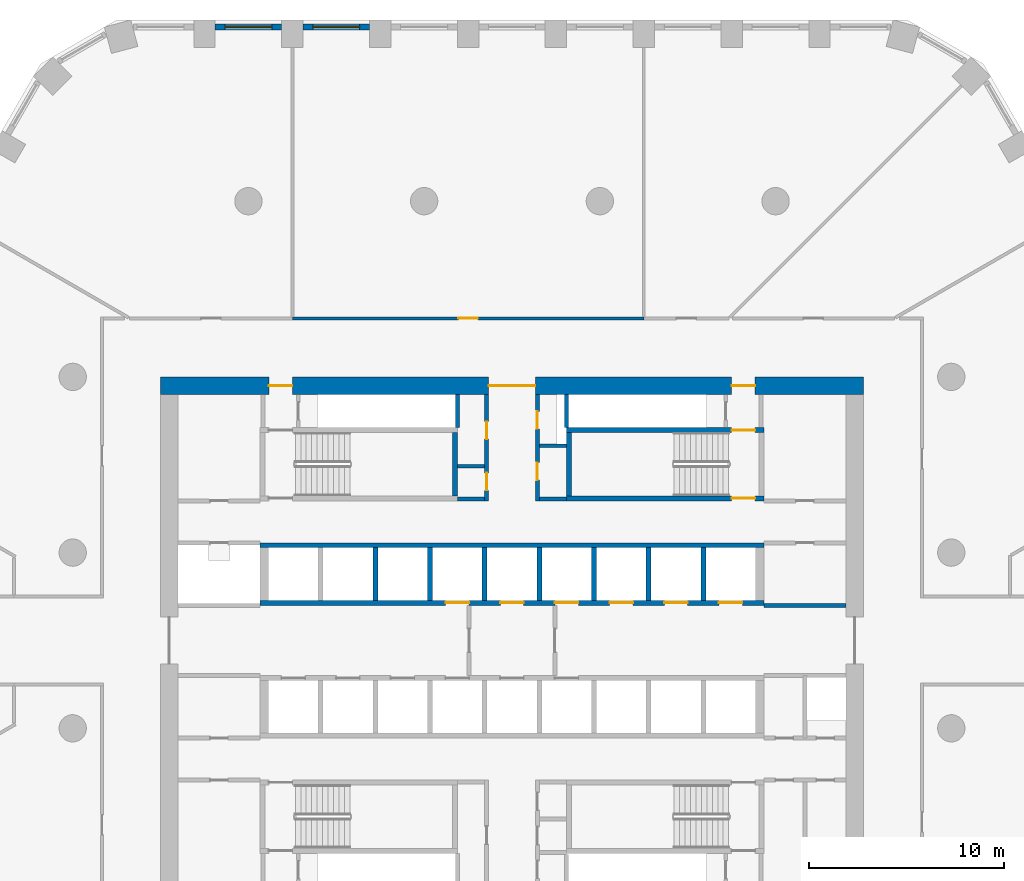
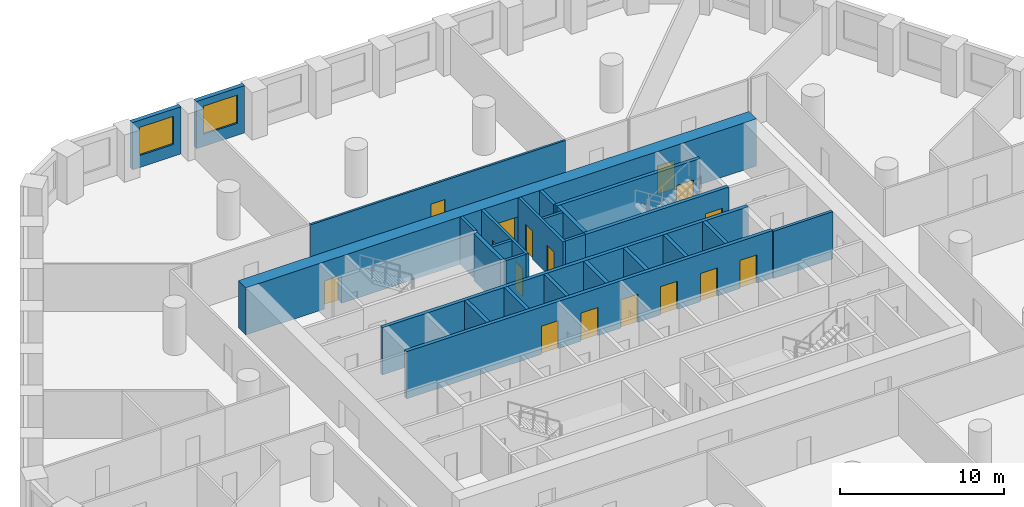
# One storey, part 6 of 10: 26 walls, 16 doors, 2 windows, 18 openings.
"""IFC4 building model written with IfcOpenShell, lengths in metres."""

from ifc_helpers import new_model, si_unit, direction, frame, frame_2d, origin, place, context, subcontext, project, spatial, polyline, rectangle, outline, extrude, material, layer, layer_set, type_object, element, fill, save


model = new_model("IFC4")

# Units and contexts
model_context = context("Model", 3, precision=1e-05, world=origin(), true_north=direction((0.0, 1.0)))
body_context = subcontext(model_context, "Body", "Model", "MODEL_VIEW")
ifc_project = project(units=[si_unit("LENGTHUNIT", "METRE"), si_unit("AREAUNIT", "SQUARE_METRE"), si_unit("VOLUMEUNIT", "CUBIC_METRE"), si_unit("PLANEANGLEUNIT", "RADIAN"), si_unit("MASSUNIT", "GRAM", prefix="KILO")], contexts=[model_context])

# Site, building, storey
site_placement = place(None, origin())
site = spatial("IfcSite", under=ifc_project, at=site_placement, CompositionType="ELEMENT")
building_placement = place(site_placement, origin())
building = spatial("IfcBuilding", under=site, at=building_placement, Name="Dhurran Vertical Campus", CompositionType="ELEMENT")
storey_placement = place(building_placement, frame((0.0, 0.0, 37.800048828125)))
storey = spatial("IfcBuildingStorey", under=building, at=storey_placement, Name="L08", CompositionType="ELEMENT", Elevation=37.800048828125)

# Wall, opening, window
ifc_material_1 = material(Name="Precast concrete C50/60", Category="concrete")
ifc_layer_1 = layer(ifc_material_1, 0.300048828125)
ifc_layer_set_1 = layer_set([ifc_layer_1], Name="Precast concrete C50/60")
wall_type_1 = type_object("IfcWallType", Name="Precast spandrel wall 300", PredefinedType="SOLIDWALL", material=ifc_layer_set_1)
wall_1_placement = place(storey_placement, frame((-7.300537109375, 31.4296875, 0.0), z_axis=(0.0, 0.0, 1.0), x_axis=(-1.0, 0.0, 0.0)))
wall_1 = element("IfcWall", 1, at=wall_1_placement, inside=storey, type_object=wall_type_1, Name="EW1 L08.32", PredefinedType="SOLIDWALL", context=body_context, shape_type="SweptSolid", body=[
    extrude(rectangle(XDim=3.39892578125, YDim=0.300048828125, at=frame_2d((1.699462890625, 0.0))), origin(), (0.0, 0.0, 1.0), 3.52490234375),
])
opening_1_placement = place(wall_1_placement, frame((0.49951171875, 0.0, 0.89990234375)))
opening_1 = element("IfcOpeningElement", 2, at=opening_1_placement, cuts=wall_1, Name="Opening WT1", PredefinedType="OPENING", context=body_context, shape_type="SweptSolid", body=[
    extrude(rectangle(XDim=2.39990234375, YDim=2.10009765625, at=frame_2d((1.199951171875, 1.050048828125))), frame((0.0, 0.159912109375, 0.0), z_axis=(0.0, -1.0, 0.0), x_axis=(1.0, 0.0, 0.0)), (0.0, 0.0, 1.0), 0.320068359375),
])
ifc_material_2 = material(Name="Aluminium frame with solar-control glass", Category="aluminium")
window_type = type_object("IfcWindowType", Name="Punched window 2400 x 2100", PartitioningType="SINGLE_PANEL", PredefinedType="WINDOW", material=ifc_material_2)
window_1_placement = place(opening_1_placement, origin())
window_1 = element("IfcWindow", 3, at=window_1_placement, inside=storey, type_object=window_type, Name="WT1 L08.32", OverallHeight=2.10009765625, OverallWidth=2.39990234375, PartitioningType="SINGLE_PANEL", PredefinedType="WINDOW", context=body_context, shape_type="SweptSolid", body=[
    extrude(rectangle(XDim=2.39990234375, YDim=2.10009765625, at=frame_2d((1.199951171875, 1.050048828125))), frame((0.0, 0.030029296875, 0.0), z_axis=(0.0, -1.0, 0.0), x_axis=(1.0, 0.0, 0.0)), (0.0, 0.0, 1.0), 0.06005859375),
])
fill(opening_1, window_1)

wall_2_placement = place(storey_placement, frame((-11.800537109375, 31.4296875, 0.0), z_axis=(0.0, 0.0, 1.0), x_axis=(-1.0, 0.0, 0.0)))
wall_2 = element("IfcWall", 4, at=wall_2_placement, inside=storey, type_object=wall_type_1, Name="EW1 L08.33", PredefinedType="SOLIDWALL", context=body_context, shape_type="SweptSolid", body=[
    extrude(rectangle(XDim=3.39892578125, YDim=0.300048828125, at=frame_2d((1.699462890625, 0.0))), origin(), (0.0, 0.0, 1.0), 3.52490234375),
])
opening_2_placement = place(wall_2_placement, frame((0.49951171875, 0.0, 0.89990234375)))
opening_2 = element("IfcOpeningElement", 5, at=opening_2_placement, cuts=wall_2, Name="Opening WT1", PredefinedType="OPENING", context=body_context, shape_type="SweptSolid", body=[
    extrude(rectangle(XDim=2.39990234375, YDim=2.10009765625, at=frame_2d((1.199951171875, 1.050048828125))), frame((0.0, 0.159912109375, 0.0), z_axis=(0.0, -1.0, 0.0), x_axis=(1.0, 0.0, 0.0)), (0.0, 0.0, 1.0), 0.320068359375),
])
window_2_placement = place(opening_2_placement, origin())
window_2 = element("IfcWindow", 6, at=window_2_placement, inside=storey, type_object=window_type, Name="WT1 L08.33", OverallHeight=2.10009765625, OverallWidth=2.39990234375, PartitioningType="SINGLE_PANEL", PredefinedType="WINDOW", context=body_context, shape_type="SweptSolid", body=[
    extrude(rectangle(XDim=2.39990234375, YDim=2.10009765625, at=frame_2d((1.199951171875, 1.050048828125))), frame((0.0, 0.030029296875, 0.0), z_axis=(0.0, -1.0, 0.0), x_axis=(1.0, 0.0, 0.0)), (0.0, 0.0, 1.0), 0.06005859375),
])
fill(opening_2, window_2)

# Wall, openings, doors
ifc_material_3 = material(Name="Concrete C60/75", Category="concrete")
ifc_layer_2 = layer(ifc_material_3, 0.89990234375)
ifc_layer_set_2 = layer_set([ifc_layer_2], Name="Concrete C60/75")
wall_type_2 = type_object("IfcWallType", Name="co-CORE-WALL-C0-900", PredefinedType="SHEAR", material=ifc_layer_set_2)
wall_3_placement = place(storey_placement, frame((-18.0, 13.050048828125, 0.0), z_axis=(0.0, 0.0, 1.0), x_axis=(1.0, 0.0, 0.0)))
wall_3 = element("IfcWall", 7, at=wall_3_placement, inside=storey, type_object=wall_type_2, Name="Core wall N L08", PredefinedType="SHEAR", context=body_context, shape_type="SweptSolid", body=[
    extrude(rectangle(XDim=36.0, YDim=0.89990234375, at=frame_2d((18.0, 0.0))), origin(), (0.0, 0.0, 1.0), 3.52490234375),
])
opening_3_placement = place(wall_3_placement, frame((16.800048828125, 0.0, 0.0)))
opening_3 = element("IfcOpeningElement", 8, at=opening_3_placement, cuts=wall_3, Name="Opening CV1", PredefinedType="OPENING", context=body_context, shape_type="SweptSolid", body=[
    extrude(rectangle(XDim=2.39990234375, YDim=2.10009765625, at=frame_2d((1.199951171875, 1.050048828125))), frame((0.0, 0.4599609375, 0.0), z_axis=(0.0, -1.0, 0.0), x_axis=(1.0, 0.0, 0.0)), (0.0, 0.0, 1.0), 0.919921875),
])
opening_4_placement = place(wall_3_placement, frame((5.550048828125, 0.0, 0.0)))
opening_4 = element("IfcOpeningElement", 9, at=opening_4_placement, cuts=wall_3, Name="Opening XD1", PredefinedType="OPENING", context=body_context, shape_type="SweptSolid", body=[
    extrude(rectangle(XDim=1.199951171875, YDim=2.10009765625, at=frame_2d((0.60009765625, 1.050048828125))), frame((0.0, 0.4599609375, 0.0), z_axis=(0.0, -1.0, 0.0), x_axis=(1.0, 0.0, 0.0)), (0.0, 0.0, 1.0), 0.919921875),
])
opening_5_placement = place(wall_3_placement, frame((29.25, 0.0, 0.0)))
opening_5 = element("IfcOpeningElement", 10, at=opening_5_placement, cuts=wall_3, Name="Opening XD2", PredefinedType="OPENING", context=body_context, shape_type="SweptSolid", body=[
    extrude(rectangle(XDim=1.199951171875, YDim=2.10009765625, at=frame_2d((0.60009765625, 1.050048828125))), frame((0.0, 0.4599609375, 0.0), z_axis=(0.0, -1.0, 0.0), x_axis=(1.0, 0.0, 0.0)), (0.0, 0.0, 1.0), 0.919921875),
])
ifc_material_4 = material(Name="Fire-rated glazed door set")
door_type_1 = type_object("IfcDoorType", Name="co-D-LOBBY 2400x2100", OperationType="DOUBLE_DOOR_DOUBLE_SWING", PredefinedType="DOOR", material=ifc_material_4)
door_1_placement = place(opening_3_placement, origin())
door_1 = element("IfcDoor", 11, at=door_1_placement, inside=storey, type_object=door_type_1, Name="Core vestibule door N L08", OperationType="DOUBLE_DOOR_DOUBLE_SWING", OverallHeight=2.10009765625, OverallWidth=2.39990234375, PredefinedType="DOOR", context=body_context, shape_type="SweptSolid", body=[
    extrude(rectangle(XDim=2.39990234375, YDim=2.10009765625, at=frame_2d((1.199951171875, 1.050048828125))), frame((0.0, 0.02490234375, 0.0), z_axis=(0.0, -1.0, 0.0), x_axis=(1.0, 0.0, 0.0)), (0.0, 0.0, 1.0), 0.050048828125),
])
fill(opening_3, door_1)
ifc_material_5 = material(Name="Fire-rated steel door set", Category="steel")
door_type_2 = type_object("IfcDoorType", Name="co-D-STAIR-EXIT 1200x2100", OperationType="SINGLE_SWING_RIGHT", PredefinedType="DOOR", material=ifc_material_5)
door_2_placement = place(opening_4_placement, origin())
door_2 = element("IfcDoor", 12, at=door_2_placement, inside=storey, type_object=door_type_2, Name="Stair ST1 exit door L08", OperationType="SINGLE_SWING_RIGHT", OverallHeight=2.10009765625, OverallWidth=1.199951171875, PredefinedType="DOOR", context=body_context, shape_type="SweptSolid", body=[
    extrude(rectangle(XDim=1.199951171875, YDim=2.10009765625, at=frame_2d((0.60009765625, 1.050048828125))), frame((0.0, 0.02490234375, 0.0), z_axis=(0.0, -1.0, 0.0), x_axis=(1.0, 0.0, 0.0)), (0.0, 0.0, 1.0), 0.050048828125),
])
fill(opening_4, door_2)
door_3_placement = place(opening_5_placement, origin())
door_3 = element("IfcDoor", 13, at=door_3_placement, inside=storey, type_object=door_type_2, Name="Stair ST2 exit door L08", OperationType="SINGLE_SWING_RIGHT", OverallHeight=2.10009765625, OverallWidth=1.199951171875, PredefinedType="DOOR", context=body_context, shape_type="SweptSolid", body=[
    extrude(rectangle(XDim=1.199951171875, YDim=2.10009765625, at=frame_2d((0.60009765625, 1.050048828125))), frame((0.0, 0.02490234375, 0.0), z_axis=(0.0, -1.0, 0.0), x_axis=(1.0, 0.0, 0.0)), (0.0, 0.0, 1.0), 0.050048828125),
])
fill(opening_5, door_3)

# Walls
ifc_material_6 = material(Name="Fire-rated masonry blockwork", Category="masonry")
ifc_layer_3 = layer(ifc_material_6, 0.199951171875)
ifc_layer_set_3 = layer_set([ifc_layer_3], Name="Fire-rated masonry blockwork")
wall_type_3 = type_object("IfcWallType", Name="co-FIRE-PARTITION-200", PredefinedType="PARTITIONING", material=ifc_layer_set_3)
for number, where, z_axis, x_axis, name in (
    (14, (-2.800048828125, 7.25, 0.0), (0.0, 0.0, 1.0), (1.0, 0.0, 0.0), "Core partition sl-NW-S L08"),
    (15, (-2.800048828125, 8.925048828125, 0.0), (0.0, 0.0, 1.0), (1.0, 0.0, 0.0), "Core partition sl-NW-cut0 L08"),
    (16, (1.39990234375, 7.25, 0.0), (0.0, 0.0, 1.0), (1.0, 0.0, 0.0), "Core partition sl-NE-S L08"),
    (17, (1.39990234375, 9.97509765625, 0.0), (0.0, 0.0, 1.0), (1.0, 0.0, 0.0), "Core partition sl-NE-cut0 L08"),
):
    element("IfcWall", number, at=place(storey_placement, frame(where, z_axis=z_axis, x_axis=x_axis)), inside=storey, type_object=wall_type_3, Name=name, PredefinedType="PARTITIONING", context=body_context, shape_type="SweptSolid", body=[
        extrude(rectangle(XDim=1.400146484375, YDim=0.199951171875, at=frame_2d((0.7001953125, 0.0))), origin(), (0.0, 0.0, 1.0), 3.52490234375),
    ])

# Wall, openings, doors
wall_4_placement = place(storey_placement, frame((-1.300048828125, 7.14990234375, 0.0), z_axis=(0.0, 0.0, 1.0), x_axis=(0.0, 1.0, 0.0)))
wall_4 = element("IfcWall", 18, at=wall_4_placement, inside=storey, type_object=wall_type_3, Name="Core partition vest-NW L08", PredefinedType="PARTITIONING", context=body_context, shape_type="SweptSolid", body=[
    extrude(rectangle(XDim=5.4501953125, YDim=0.199951171875, at=frame_2d((2.72509765625, 0.0))), origin(), (0.0, 0.0, 1.0), 3.52490234375),
])
opening_6_placement = place(wall_4_placement, frame((0.53759765625, 0.0, 0.0)))
opening_6 = element("IfcOpeningElement", 19, at=opening_6_placement, cuts=wall_4, Name="Opening T01-C5", PredefinedType="OPENING", context=body_context, shape_type="SweptSolid", body=[
    extrude(rectangle(XDim=0.89990234375, YDim=2.10009765625, at=frame_2d((0.449951171875, 1.050048828125))), frame((0.0, 0.10986328125, 0.0), z_axis=(0.0, -1.0, 0.0), x_axis=(1.0, 0.0, 0.0)), (0.0, 0.0, 1.0), 0.219970703125),
])
opening_7_placement = place(wall_4_placement, frame((3.16259765625, 0.0, 0.0)))
opening_7 = element("IfcOpeningElement", 20, at=opening_7_placement, cuts=wall_4, Name="Opening T01-C6", PredefinedType="OPENING", context=body_context, shape_type="SweptSolid", body=[
    extrude(rectangle(XDim=0.89990234375, YDim=2.10009765625, at=frame_2d((0.449951171875, 1.050048828125))), frame((0.0, 0.10986328125, 0.0), z_axis=(0.0, -1.0, 0.0), x_axis=(1.0, 0.0, 0.0)), (0.0, 0.0, 1.0), 0.219970703125),
])
ifc_material_7 = material(Name="Fire-rated timber door set", Category="wood")
door_type_3 = type_object("IfcDoorType", Name="co-D-ROOM 900x2100", OperationType="SINGLE_SWING_LEFT", PredefinedType="DOOR", material=ifc_material_7)
door_4_placement = place(opening_6_placement, origin())
door_4 = element("IfcDoor", 21, at=door_4_placement, inside=storey, type_object=door_type_3, Name="Cleaner's store door L08", OperationType="SINGLE_SWING_LEFT", OverallHeight=2.10009765625, OverallWidth=0.89990234375, PredefinedType="DOOR", context=body_context, shape_type="SweptSolid", body=[
    extrude(rectangle(XDim=0.89990234375, YDim=2.10009765625, at=frame_2d((0.449951171875, 1.050048828125))), frame((0.0, 0.02490234375, 0.0), z_axis=(0.0, -1.0, 0.0), x_axis=(1.0, 0.0, 0.0)), (0.0, 0.0, 1.0), 0.050048828125),
])
fill(opening_6, door_4)
door_5_placement = place(opening_7_placement, origin())
door_5 = element("IfcDoor", 22, at=door_5_placement, inside=storey, type_object=door_type_3, Name="Server room door L08", OperationType="SINGLE_SWING_LEFT", OverallHeight=2.10009765625, OverallWidth=0.89990234375, PredefinedType="DOOR", context=body_context, shape_type="SweptSolid", body=[
    extrude(rectangle(XDim=0.89990234375, YDim=2.10009765625, at=frame_2d((0.449951171875, 1.050048828125))), frame((0.0, 0.02490234375, 0.0), z_axis=(0.0, -1.0, 0.0), x_axis=(1.0, 0.0, 0.0)), (0.0, 0.0, 1.0), 0.050048828125),
])
fill(opening_7, door_5)

wall_5_placement = place(storey_placement, frame((1.300048828125, 7.14990234375, 0.0), z_axis=(0.0, 0.0, 1.0), x_axis=(0.0, 1.0, 0.0)))
wall_5 = element("IfcWall", 23, at=wall_5_placement, inside=storey, type_object=wall_type_3, Name="Core partition vest-NE L08", PredefinedType="PARTITIONING", context=body_context, shape_type="SweptSolid", body=[
    extrude(rectangle(XDim=5.4501953125, YDim=0.199951171875, at=frame_2d((2.72509765625, 0.0))), origin(), (0.0, 0.0, 1.0), 3.52490234375),
])
opening_8_placement = place(wall_5_placement, frame((1.0625, 0.0, 0.0)))
opening_8 = element("IfcOpeningElement", 24, at=opening_8_placement, cuts=wall_5, Name="Opening T01-C7", PredefinedType="OPENING", context=body_context, shape_type="SweptSolid", body=[
    extrude(rectangle(XDim=0.89990234375, YDim=2.10009765625, at=frame_2d((0.449951171875, 1.050048828125))), frame((0.0, 0.10986328125, 0.0), z_axis=(0.0, -1.0, 0.0), x_axis=(1.0, 0.0, 0.0)), (0.0, 0.0, 1.0), 0.219970703125),
])
opening_9_placement = place(wall_5_placement, frame((3.6875, 0.0, 0.0)))
opening_9 = element("IfcOpeningElement", 25, at=opening_9_placement, cuts=wall_5, Name="Opening T01-C8", PredefinedType="OPENING", context=body_context, shape_type="SweptSolid", body=[
    extrude(rectangle(XDim=0.89990234375, YDim=2.10009765625, at=frame_2d((0.449951171875, 1.050048828125))), frame((0.0, 0.10986328125, 0.0), z_axis=(0.0, -1.0, 0.0), x_axis=(1.0, 0.0, 0.0)), (0.0, 0.0, 1.0), 0.219970703125),
])
door_6_placement = place(opening_8_placement, origin())
door_6 = element("IfcDoor", 26, at=door_6_placement, inside=storey, type_object=door_type_3, Name="Print room door L08", OperationType="SINGLE_SWING_LEFT", OverallHeight=2.10009765625, OverallWidth=0.89990234375, PredefinedType="DOOR", context=body_context, shape_type="SweptSolid", body=[
    extrude(rectangle(XDim=0.89990234375, YDim=2.10009765625, at=frame_2d((0.449951171875, 1.050048828125))), frame((0.0, 0.02490234375, 0.0), z_axis=(0.0, -1.0, 0.0), x_axis=(1.0, 0.0, 0.0)), (0.0, 0.0, 1.0), 0.050048828125),
])
fill(opening_8, door_6)
door_7_placement = place(opening_9_placement, origin())
door_7 = element("IfcDoor", 27, at=door_7_placement, inside=storey, type_object=door_type_3, Name="Electrical riser door L08", OperationType="SINGLE_SWING_LEFT", OverallHeight=2.10009765625, OverallWidth=0.89990234375, PredefinedType="DOOR", context=body_context, shape_type="SweptSolid", body=[
    extrude(rectangle(XDim=0.89990234375, YDim=2.10009765625, at=frame_2d((0.449951171875, 1.050048828125))), frame((0.0, 0.02490234375, 0.0), z_axis=(0.0, -1.0, 0.0), x_axis=(1.0, 0.0, 0.0)), (0.0, 0.0, 1.0), 0.050048828125),
])
fill(opening_9, door_7)

# Walls
wall_6_placement = place(storey_placement, frame((12.89990234375, 1.800048828125, 0.0), z_axis=(0.0, 0.0, 1.0), x_axis=(1.0, 0.0, 0.0)))
element("IfcWall", 28, at=wall_6_placement, inside=storey, type_object=wall_type_3, Name="Core partition es-NE-l L08", PredefinedType="PARTITIONING", context=body_context, shape_type="SweptSolid", body=[
    extrude(rectangle(XDim=4.2001953125, YDim=0.199951171875, at=frame_2d((2.10009765625, 0.0))), origin(), (0.0, 0.0, 1.0), 3.52490234375),
])
for number, where, z_axis, x_axis, name in (
    (29, (-2.800048828125, 10.90087890625, 0.0), (0.0, 0.0, 1.0), (0.0, 1.0, 0.0), "Riser enclosure wall L08"),
    (30, (2.800048828125, 10.90087890625, 0.0), (0.0, 0.0, 1.0), (0.0, 1.0, 0.0), "Riser enclosure wall L08"),
):
    element("IfcWall", number, at=place(storey_placement, frame(where, z_axis=z_axis, x_axis=x_axis)), inside=storey, type_object=wall_type_3, Name=name, PredefinedType="PARTITIONING", context=body_context, shape_type="SweptSolid", body=[
        extrude(rectangle(XDim=1.6982421875, YDim=0.199951171875, at=frame_2d((0.84912109375, 0.0))), origin(), (0.0, 0.0, 1.0), 3.52490234375),
    ])

# Wall, openings, doors
ifc_material_8 = material(Name="Concrete C50/60", Category="concrete")
ifc_layer_4 = layer(ifc_material_8, 0.25)
ifc_layer_set_4 = layer_set([ifc_layer_4], Name="Concrete C50/60")
wall_type_4 = type_object("IfcWallType", Name="co-SHAFT-FRONT-250", PredefinedType="SHEAR", material=ifc_layer_set_4)
wall_7_placement = place(storey_placement, frame((-12.89990234375, 1.925048828125, 0.0), z_axis=(0.0, 0.0, 1.0), x_axis=(1.0, 0.0, 0.0)))
wall_7 = element("IfcWall", 31, at=wall_7_placement, inside=storey, type_object=wall_type_4, Name="Lift landing wall N L08", PredefinedType="SHEAR", context=body_context, shape_type="SweptSolid", body=[
    extrude(rectangle(XDim=25.7998046875, YDim=0.25, at=frame_2d((12.89990234375, 0.0))), origin(), (0.0, 0.0, 1.0), 3.52490234375),
])
opening_10_placement = place(wall_7_placement, frame((9.5, 0.0, 0.0)))
opening_10 = element("IfcOpeningElement", 32, at=opening_10_placement, cuts=wall_7, Name="Opening LD", PredefinedType="OPENING", context=body_context, shape_type="SweptSolid", body=[
    extrude(rectangle(XDim=1.199951171875, YDim=2.10009765625, at=frame_2d((0.60009765625, 1.050048828125))), frame((0.0, 0.135009765625, 0.0), z_axis=(0.0, -1.0, 0.0), x_axis=(1.0, 0.0, 0.0)), (0.0, 0.0, 1.0), 0.27001953125),
])
opening_11_placement = place(wall_7_placement, frame((12.300048828125, 0.0, 0.0)))
opening_11 = element("IfcOpeningElement", 33, at=opening_11_placement, cuts=wall_7, Name="Opening LD", PredefinedType="OPENING", context=body_context, shape_type="SweptSolid", body=[
    extrude(rectangle(XDim=1.199951171875, YDim=2.10009765625, at=frame_2d((0.60009765625, 1.050048828125))), frame((0.0, 0.135009765625, 0.0), z_axis=(0.0, -1.0, 0.0), x_axis=(1.0, 0.0, 0.0)), (0.0, 0.0, 1.0), 0.27001953125),
])
opening_12_placement = place(wall_7_placement, frame((15.10009765625, 0.0, 0.0)))
opening_12 = element("IfcOpeningElement", 34, at=opening_12_placement, cuts=wall_7, Name="Opening LD", PredefinedType="OPENING", context=body_context, shape_type="SweptSolid", body=[
    extrude(rectangle(XDim=1.199951171875, YDim=2.10009765625, at=frame_2d((0.60009765625, 1.050048828125))), frame((0.0, 0.135009765625, 0.0), z_axis=(0.0, -1.0, 0.0), x_axis=(1.0, 0.0, 0.0)), (0.0, 0.0, 1.0), 0.27001953125),
])
opening_13_placement = place(wall_7_placement, frame((17.89990234375, 0.0, 0.0)))
opening_13 = element("IfcOpeningElement", 35, at=opening_13_placement, cuts=wall_7, Name="Opening LD", PredefinedType="OPENING", context=body_context, shape_type="SweptSolid", body=[
    extrude(rectangle(XDim=1.199951171875, YDim=2.10009765625, at=frame_2d((0.60009765625, 1.050048828125))), frame((0.0, 0.135009765625, 0.0), z_axis=(0.0, -1.0, 0.0), x_axis=(1.0, 0.0, 0.0)), (0.0, 0.0, 1.0), 0.27001953125),
])
opening_14_placement = place(wall_7_placement, frame((20.699951171875, 0.0, 0.0)))
opening_14 = element("IfcOpeningElement", 36, at=opening_14_placement, cuts=wall_7, Name="Opening LD", PredefinedType="OPENING", context=body_context, shape_type="SweptSolid", body=[
    extrude(rectangle(XDim=1.199951171875, YDim=2.10009765625, at=frame_2d((0.60009765625, 1.050048828125))), frame((0.0, 0.135009765625, 0.0), z_axis=(0.0, -1.0, 0.0), x_axis=(1.0, 0.0, 0.0)), (0.0, 0.0, 1.0), 0.27001953125),
])
opening_15_placement = place(wall_7_placement, frame((23.5, 0.0, 0.0)))
opening_15 = element("IfcOpeningElement", 37, at=opening_15_placement, cuts=wall_7, Name="Opening LD", PredefinedType="OPENING", context=body_context, shape_type="SweptSolid", body=[
    extrude(rectangle(XDim=1.199951171875, YDim=2.10009765625, at=frame_2d((0.60009765625, 1.050048828125))), frame((0.0, 0.135009765625, 0.0), z_axis=(0.0, -1.0, 0.0), x_axis=(1.0, 0.0, 0.0)), (0.0, 0.0, 1.0), 0.27001953125),
])
ifc_material_9 = material(Name="Stainless steel landing door", Category="steel")
door_type_4 = type_object("IfcDoorType", Name="co-D-LANDING 1200x2100", OperationType="DOUBLE_DOOR_SLIDING", PredefinedType="DOOR", material=ifc_material_9)
door_8_placement = place(opening_10_placement, origin())
door_8 = element("IfcDoor", 38, at=door_8_placement, inside=storey, type_object=door_type_4, Name="Landing door LR1 L08", OperationType="DOUBLE_DOOR_SLIDING", OverallHeight=2.10009765625, OverallWidth=1.199951171875, PredefinedType="DOOR", context=body_context, shape_type="SweptSolid", body=[
    extrude(rectangle(XDim=1.199951171875, YDim=2.10009765625, at=frame_2d((0.60009765625, 1.050048828125))), frame((0.0, 0.02490234375, 0.0), z_axis=(0.0, -1.0, 0.0), x_axis=(1.0, 0.0, 0.0)), (0.0, 0.0, 1.0), 0.050048828125),
])
fill(opening_10, door_8)
door_9_placement = place(opening_11_placement, origin())
door_9 = element("IfcDoor", 39, at=door_9_placement, inside=storey, type_object=door_type_4, Name="Landing door FF1 L08", OperationType="DOUBLE_DOOR_SLIDING", OverallHeight=2.10009765625, OverallWidth=1.199951171875, PredefinedType="DOOR", context=body_context, shape_type="SweptSolid", body=[
    extrude(rectangle(XDim=1.199951171875, YDim=2.10009765625, at=frame_2d((0.60009765625, 1.050048828125))), frame((0.0, 0.02490234375, 0.0), z_axis=(0.0, -1.0, 0.0), x_axis=(1.0, 0.0, 0.0)), (0.0, 0.0, 1.0), 0.050048828125),
])
fill(opening_11, door_9)
door_10_placement = place(opening_12_placement, origin())
door_10 = element("IfcDoor", 40, at=door_10_placement, inside=storey, type_object=door_type_4, Name="Landing door LR2 L08", OperationType="DOUBLE_DOOR_SLIDING", OverallHeight=2.10009765625, OverallWidth=1.199951171875, PredefinedType="DOOR", context=body_context, shape_type="SweptSolid", body=[
    extrude(rectangle(XDim=1.199951171875, YDim=2.10009765625, at=frame_2d((0.60009765625, 1.050048828125))), frame((0.0, 0.02490234375, 0.0), z_axis=(0.0, -1.0, 0.0), x_axis=(1.0, 0.0, 0.0)), (0.0, 0.0, 1.0), 0.050048828125),
])
fill(opening_12, door_10)
door_11_placement = place(opening_13_placement, origin())
door_11 = element("IfcDoor", 41, at=door_11_placement, inside=storey, type_object=door_type_4, Name="Landing door LR3 L08", OperationType="DOUBLE_DOOR_SLIDING", OverallHeight=2.10009765625, OverallWidth=1.199951171875, PredefinedType="DOOR", context=body_context, shape_type="SweptSolid", body=[
    extrude(rectangle(XDim=1.199951171875, YDim=2.10009765625, at=frame_2d((0.60009765625, 1.050048828125))), frame((0.0, 0.02490234375, 0.0), z_axis=(0.0, -1.0, 0.0), x_axis=(1.0, 0.0, 0.0)), (0.0, 0.0, 1.0), 0.050048828125),
])
fill(opening_13, door_11)
door_12_placement = place(opening_14_placement, origin())
door_12 = element("IfcDoor", 42, at=door_12_placement, inside=storey, type_object=door_type_4, Name="Landing door LR4 L08", OperationType="DOUBLE_DOOR_SLIDING", OverallHeight=2.10009765625, OverallWidth=1.199951171875, PredefinedType="DOOR", context=body_context, shape_type="SweptSolid", body=[
    extrude(rectangle(XDim=1.199951171875, YDim=2.10009765625, at=frame_2d((0.60009765625, 1.050048828125))), frame((0.0, 0.02490234375, 0.0), z_axis=(0.0, -1.0, 0.0), x_axis=(1.0, 0.0, 0.0)), (0.0, 0.0, 1.0), 0.050048828125),
])
fill(opening_14, door_12)
door_13_placement = place(opening_15_placement, origin())
door_13 = element("IfcDoor", 43, at=door_13_placement, inside=storey, type_object=door_type_4, Name="Landing door SV2 L08", OperationType="DOUBLE_DOOR_SLIDING", OverallHeight=2.10009765625, OverallWidth=1.199951171875, PredefinedType="DOOR", context=body_context, shape_type="SweptSolid", body=[
    extrude(rectangle(XDim=1.199951171875, YDim=2.10009765625, at=frame_2d((0.60009765625, 1.050048828125))), frame((0.0, 0.02490234375, 0.0), z_axis=(0.0, -1.0, 0.0), x_axis=(1.0, 0.0, 0.0)), (0.0, 0.0, 1.0), 0.050048828125),
])
fill(opening_15, door_13)

# Walls
ifc_material_10 = material(Name="Concrete C50/60", Category="concrete")
ifc_layer_5 = layer(ifc_material_10, 0.25)
ifc_layer_set_5 = layer_set([ifc_layer_5], Name="Concrete C50/60")
wall_type_5 = type_object("IfcWallType", Name="co-SHAFT-MASS-250", PredefinedType="SHEAR", material=ifc_layer_set_5)
wall_8_placement = place(storey_placement, origin())
element("IfcWall", 44, at=wall_8_placement, inside=storey, type_object=wall_type_5, Name="Lift shaft wall N L08 1", PredefinedType="SHEAR", context=body_context, shape_type="SweptSolid", body=[
    extrude(outline(polyline([(-12.89990234375, 4.75), (12.89990234375, 4.75), (12.89990234375, 5.0), (-12.89990234375, 5.0), (-12.89990234375, 4.75)])), origin(), (0.0, 0.0, 1.0), 3.52490234375),
])
wall_9_placement = place(storey_placement, origin())
element("IfcWall", 45, at=wall_9_placement, inside=storey, type_object=wall_type_5, Name="Lift shaft wall N L08 4", PredefinedType="SHEAR", context=body_context, shape_type="SweptSolid", body=[
    extrude(outline(polyline([(-7.125, 2.050048828125), (-6.875, 2.050048828125), (-6.875, 4.75), (-7.125, 4.75), (-7.125, 2.050048828125)])), origin(), (0.0, 0.0, 1.0), 3.52490234375),
])
wall_10_placement = place(storey_placement, origin())
element("IfcWall", 46, at=wall_10_placement, inside=storey, type_object=wall_type_5, Name="Lift shaft wall N L08 5", PredefinedType="SHEAR", context=body_context, shape_type="SweptSolid", body=[
    extrude(outline(polyline([(-4.324951171875, 2.050048828125), (-4.074951171875, 2.050048828125), (-4.074951171875, 4.75), (-4.324951171875, 4.75), (-4.324951171875, 2.050048828125)])), origin(), (0.0, 0.0, 1.0), 3.52490234375),
])
wall_11_placement = place(storey_placement, origin())
element("IfcWall", 47, at=wall_11_placement, inside=storey, type_object=wall_type_5, Name="Lift shaft wall N L08 6", PredefinedType="SHEAR", context=body_context, shape_type="SweptSolid", body=[
    extrude(outline(polyline([(-1.52490234375, 2.050048828125), (-1.27490234375, 2.050048828125), (-1.27490234375, 4.75), (-1.52490234375, 4.75), (-1.52490234375, 2.050048828125)])), origin(), (0.0, 0.0, 1.0), 3.52490234375),
])
wall_12_placement = place(storey_placement, origin())
element("IfcWall", 48, at=wall_12_placement, inside=storey, type_object=wall_type_5, Name="Lift shaft wall N L08 7", PredefinedType="SHEAR", context=body_context, shape_type="SweptSolid", body=[
    extrude(outline(polyline([(1.27490234375, 2.050048828125), (1.52490234375, 2.050048828125), (1.52490234375, 4.75), (1.27490234375, 4.75), (1.27490234375, 2.050048828125)])), origin(), (0.0, 0.0, 1.0), 3.52490234375),
])
wall_13_placement = place(storey_placement, origin())
element("IfcWall", 49, at=wall_13_placement, inside=storey, type_object=wall_type_5, Name="Lift shaft wall N L08 8", PredefinedType="SHEAR", context=body_context, shape_type="SweptSolid", body=[
    extrude(outline(polyline([(4.074951171875, 2.050048828125), (4.324951171875, 2.050048828125), (4.324951171875, 4.75), (4.074951171875, 4.75), (4.074951171875, 2.050048828125)])), origin(), (0.0, 0.0, 1.0), 3.52490234375),
])
wall_14_placement = place(storey_placement, origin())
element("IfcWall", 50, at=wall_14_placement, inside=storey, type_object=wall_type_5, Name="Lift shaft wall N L08 9", PredefinedType="SHEAR", context=body_context, shape_type="SweptSolid", body=[
    extrude(outline(polyline([(6.875, 2.050048828125), (7.125, 2.050048828125), (7.125, 4.75), (6.875, 4.75), (6.875, 2.050048828125)])), origin(), (0.0, 0.0, 1.0), 3.52490234375),
])
wall_15_placement = place(storey_placement, origin())
element("IfcWall", 51, at=wall_15_placement, inside=storey, type_object=wall_type_5, Name="Lift shaft wall N L08 10", PredefinedType="SHEAR", context=body_context, shape_type="SweptSolid", body=[
    extrude(outline(polyline([(9.675048828125, 2.050048828125), (9.925048828125, 2.050048828125), (9.925048828125, 4.75), (9.675048828125, 4.75), (9.675048828125, 2.050048828125)])), origin(), (0.0, 0.0, 1.0), 3.52490234375),
])
ifc_material_11 = material(Name="Concrete C40/50", Category="concrete")
ifc_layer_6 = layer(ifc_material_11, 0.25)
ifc_layer_set_6 = layer_set([ifc_layer_6], Name="Concrete C40/50")
wall_type_6 = type_object("IfcWallType", Name="co-STAIR-WALL-250", PredefinedType="SHEAR", material=ifc_layer_set_6)
wall_16_placement = place(storey_placement, frame((-2.925048828125, 7.39990234375, 0.0), z_axis=(0.0, 0.0, 1.0), x_axis=(0.0, 1.0, 0.0)))
element("IfcWall", 52, at=wall_16_placement, inside=storey, type_object=wall_type_6, Name="Stair ST1 enclosure wall L08", PredefinedType="SHEAR", context=body_context, shape_type="SweptSolid", body=[
    extrude(rectangle(XDim=3.25, YDim=0.25, at=frame_2d((1.625, 0.0))), origin(), (0.0, 0.0, 1.0), 3.52490234375),
])

# Wall, opening, door
wall_17_placement = place(storey_placement, frame((2.800048828125, 7.27490234375, 0.0), z_axis=(0.0, 0.0, 1.0), x_axis=(1.0, 0.0, 0.0)))
wall_17 = element("IfcWall", 53, at=wall_17_placement, inside=storey, type_object=wall_type_6, Name="Stair ST2 enclosure wall L08", PredefinedType="SHEAR", context=body_context, shape_type="SweptSolid", body=[
    extrude(rectangle(XDim=10.099853515625, YDim=0.25, at=frame_2d((5.0498046875, 0.0))), origin(), (0.0, 0.0, 1.0), 3.52490234375),
])
opening_16_placement = place(wall_17_placement, frame((8.449951171875, 0.0, 0.0)))
opening_16 = element("IfcOpeningElement", 54, at=opening_16_placement, cuts=wall_17, Name="Opening SD2", PredefinedType="OPENING", context=body_context, shape_type="SweptSolid", body=[
    extrude(rectangle(XDim=1.199951171875, YDim=2.10009765625, at=frame_2d((0.60009765625, 1.050048828125))), frame((0.0, 0.135009765625, 0.0), z_axis=(0.0, -1.0, 0.0), x_axis=(1.0, 0.0, 0.0)), (0.0, 0.0, 1.0), 0.27001953125),
])
ifc_material_12 = material(Name="Fire-rated steel door set", Category="steel")
door_type_5 = type_object("IfcDoorType", Name="co-D-STAIR 1200x2100", OperationType="SINGLE_SWING_LEFT", PredefinedType="DOOR", material=ifc_material_12)
door_14_placement = place(opening_16_placement, origin())
door_14 = element("IfcDoor", 55, at=door_14_placement, inside=storey, type_object=door_type_5, Name="Stair ST2 door L08", OperationType="SINGLE_SWING_LEFT", OverallHeight=2.10009765625, OverallWidth=1.199951171875, PredefinedType="DOOR", context=body_context, shape_type="SweptSolid", body=[
    extrude(rectangle(XDim=1.199951171875, YDim=2.10009765625, at=frame_2d((0.60009765625, 1.050048828125))), frame((0.0, 0.02490234375, 0.0), z_axis=(0.0, -1.0, 0.0), x_axis=(1.0, 0.0, 0.0)), (0.0, 0.0, 1.0), 0.050048828125),
])
fill(opening_16, door_14)

wall_18_placement = place(storey_placement, frame((2.800048828125, 10.77490234375, 0.0), z_axis=(0.0, 0.0, 1.0), x_axis=(1.0, 0.0, 0.0)))
wall_18 = element("IfcWall", 56, at=wall_18_placement, inside=storey, type_object=wall_type_6, Name="Stair ST2 enclosure wall L08", PredefinedType="SHEAR", context=body_context, shape_type="SweptSolid", body=[
    extrude(rectangle(XDim=10.099853515625, YDim=0.25, at=frame_2d((5.0498046875, 0.0))), origin(), (0.0, 0.0, 1.0), 3.52490234375),
])
opening_17_placement = place(wall_18_placement, frame((8.449951171875, 0.0, 0.0)))
opening_17 = element("IfcOpeningElement", 57, at=opening_17_placement, cuts=wall_18, Name="Opening XS2", PredefinedType="OPENING", context=body_context, shape_type="SweptSolid", body=[
    extrude(rectangle(XDim=1.199951171875, YDim=2.10009765625, at=frame_2d((0.60009765625, 1.050048828125))), frame((0.0, 0.135009765625, 0.0), z_axis=(0.0, -1.0, 0.0), x_axis=(1.0, 0.0, 0.0)), (0.0, 0.0, 1.0), 0.27001953125),
])
door_15_placement = place(opening_17_placement, origin())
door_15 = element("IfcDoor", 58, at=door_15_placement, inside=storey, type_object=door_type_2, Name="Stair ST2 discharge door L08", OperationType="SINGLE_SWING_RIGHT", OverallHeight=2.10009765625, OverallWidth=1.199951171875, PredefinedType="DOOR", context=body_context, shape_type="SweptSolid", body=[
    extrude(rectangle(XDim=1.199951171875, YDim=2.10009765625, at=frame_2d((0.60009765625, 1.050048828125))), frame((0.0, 0.02490234375, 0.0), z_axis=(0.0, -1.0, 0.0), x_axis=(1.0, 0.0, 0.0)), (0.0, 0.0, 1.0), 0.050048828125),
])
fill(opening_17, door_15)

# Wall
wall_19_placement = place(storey_placement, frame((2.925048828125, 7.39990234375, 0.0), z_axis=(0.0, 0.0, 1.0), x_axis=(0.0, 1.0, 0.0)))
element("IfcWall", 59, at=wall_19_placement, inside=storey, type_object=wall_type_6, Name="Stair ST2 enclosure wall L08", PredefinedType="SHEAR", context=body_context, shape_type="SweptSolid", body=[
    extrude(rectangle(XDim=3.25, YDim=0.25, at=frame_2d((1.625, 0.0))), origin(), (0.0, 0.0, 1.0), 3.52490234375),
])

# Wall, opening, door
ifc_material_13 = material(Name="Gypsum board corridor wall on steel studs", Category="steel")
ifc_layer_7 = layer(ifc_material_13, 0.14990234375)
ifc_layer_set_7 = layer_set([ifc_layer_7], Name="Gypsum board corridor wall on steel studs")
wall_type_7 = type_object("IfcWallType", Name="fl-CW-150 corridor wall", PredefinedType="PARTITIONING", material=ifc_layer_set_7)
wall_20_placement = place(storey_placement, frame((6.75, 16.5, 0.0), z_axis=(0.0, 0.0, 1.0), x_axis=(-1.0, 0.0, 0.0)))
wall_20 = element("IfcWall", 60, at=wall_20_placement, inside=storey, type_object=wall_type_7, Name="Partition 08-26", PredefinedType="PARTITIONING", context=body_context, shape_type="SweptSolid", body=[
    extrude(rectangle(XDim=18.0, YDim=0.14990234375, at=frame_2d((9.0, 0.0))), origin(), (0.0, 0.0, 1.0), 3.52490234375),
])
opening_18_placement = place(wall_20_placement, frame((8.5, 0.0, 0.0)))
opening_18 = element("IfcOpeningElement", 61, at=opening_18_placement, cuts=wall_20, Name="Opening T01.10", PredefinedType="OPENING", context=body_context, shape_type="SweptSolid", body=[
    extrude(rectangle(XDim=1.0, YDim=2.10009765625, at=frame_2d((0.5, 1.050048828125))), frame((0.0, 0.0849609375, 0.0), z_axis=(0.0, -1.0, 0.0), x_axis=(1.0, 0.0, 0.0)), (0.0, 0.0, 1.0), 0.169921875),
])
ifc_material_14 = material(Name="Solid-core timber door set, fire-rated", Category="wood")
door_type_6 = type_object("IfcDoorType", Name="fl-D-1000x2100", OperationType="SINGLE_SWING_LEFT", PredefinedType="DOOR", material=ifc_material_14)
door_16_placement = place(opening_18_placement, origin())
door_16 = element("IfcDoor", 62, at=door_16_placement, inside=storey, type_object=door_type_6, Name="Door 08.10", OperationType="SINGLE_SWING_LEFT", OverallHeight=2.10009765625, OverallWidth=1.0, PredefinedType="DOOR", context=body_context, shape_type="SweptSolid", body=[
    extrude(rectangle(XDim=1.0, YDim=2.10009765625, at=frame_2d((0.5, 1.050048828125))), frame((0.0, 0.02490234375, 0.0), z_axis=(0.0, -1.0, 0.0), x_axis=(1.0, 0.0, 0.0)), (0.0, 0.0, 1.0), 0.050048828125),
])
fill(opening_18, door_16)

save(model, "model.ifc")
